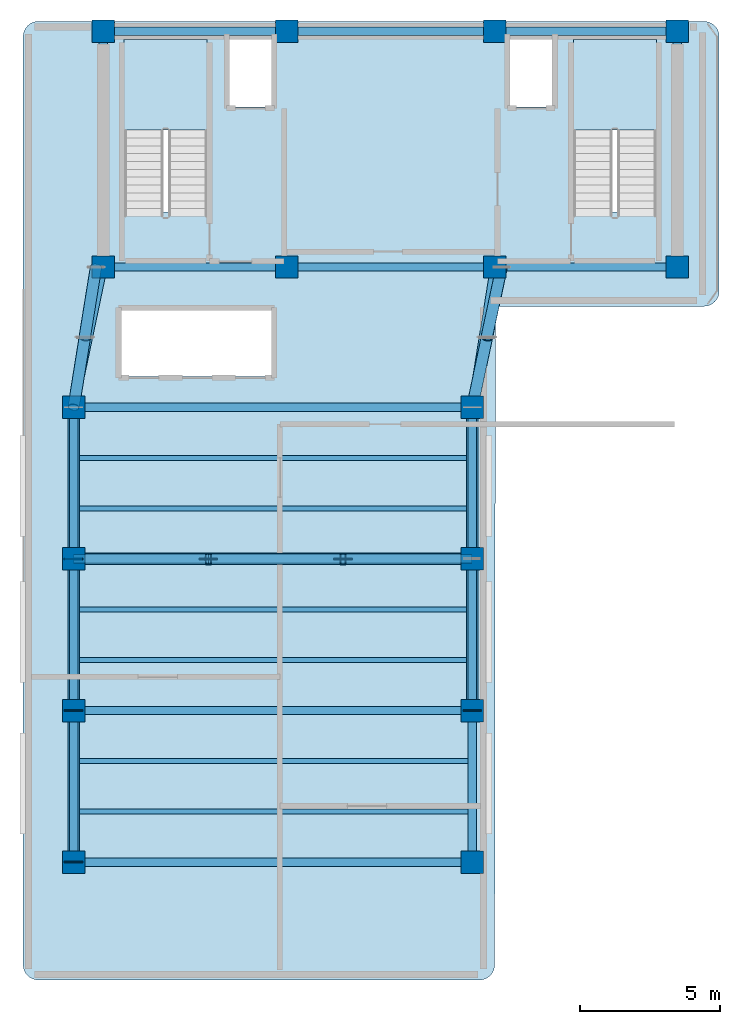
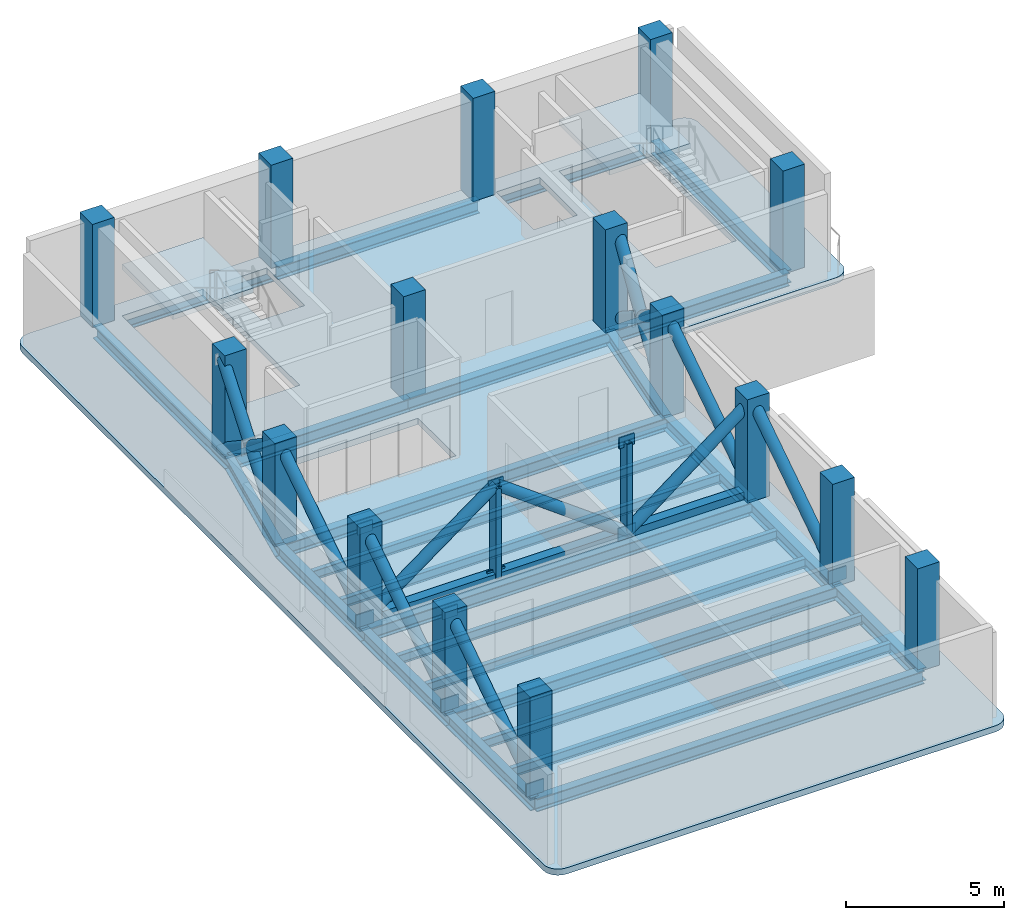
# One storey, part 1 of 5: 26 beams, 17 members, 16 columns, 10 plates, 3 slabs, 2 elements without a shape of their own.
"""IFC4 building model written with IfcOpenShell, lengths in metres."""

import ifcopenshell
import ifcopenshell.guid

model = None  # the IFC model being written
_history = None  # IfcOwnerHistory: only IFC2X3 demands one
_inside = {}  # id of a spatial element -> (the spatial element, [elements in it])
_under = {}  # id of a project, library or spatial element -> (it, [spatial elements below it])
_declared = {}  # id of a project -> (the project, [libraries it declares])
_typed = {}  # id of a type object -> (the type object, [elements of that type])
_made_of = {}  # id of a material, layer set ... -> (it, [elements and type objects made of it])


def new_model(schema):
    """Start an empty IFC model of exactly this schema.

    Asked for "IFC4X3", IfcOpenShell would pick the latest addendum, in which some entities
    have other attributes; the version numbers below select the first issue.
    IFC2X3 requires an IfcOwnerHistory on every rooted entity: one is made here for all.
    """
    global model, _history
    if schema == "IFC4X3":
        model = ifcopenshell.file(schema_version=(4, 3, 0, 0))
    else:
        model = ifcopenshell.file(schema=schema)
    _inside.clear()
    _under.clear()
    _declared.clear()
    _typed.clear()
    _made_of.clear()
    _history = None
    if model.schema == "IFC2X3":
        org = make("IfcOrganization", Name="unknown")
        user = make(
            "IfcPersonAndOrganization",
            ThePerson=make("IfcPerson", FamilyName="unknown"),
            TheOrganization=org,
        )
        app = make(
            "IfcApplication",
            ApplicationDeveloper=org,
            Version="unknown",
            ApplicationFullName="unknown",
            ApplicationIdentifier="unknown",
        )
        _history = make(
            "IfcOwnerHistory",
            OwningUser=user,
            OwningApplication=app,
            ChangeAction="ADDED",
            CreationDate=0,
        )
    return model


def make(cls, **values):
    """One entity of the class cls with the attributes given. An attribute that is None is left unset."""
    return model.create_entity(
        cls, **{name: value for name, value in values.items() if value is not None}
    )


def rooted(cls, **values):
    """An entity with a GlobalId (a new one), such as an element, a storey or a relation."""
    return make(cls, GlobalId=ifcopenshell.guid.new(), OwnerHistory=_history, **values)


def si_unit(unit_type, name, prefix=None):
    """IfcSIUnit, for example si_unit("LENGTHUNIT", "METRE", prefix="MILLI")."""
    return make("IfcSIUnit", UnitType=unit_type, Prefix=prefix, Name=name)


def assignment(units):
    """IfcUnitAssignment: the units of a project."""
    return None if units is None else make("IfcUnitAssignment", Units=units)


def point(xyz):
    """IfcCartesianPoint."""
    return None if xyz is None else make("IfcCartesianPoint", Coordinates=xyz)


def direction(xyz):
    """IfcDirection."""
    return None if xyz is None else make("IfcDirection", DirectionRatios=xyz)


def frame(location, z_axis=None, x_axis=None):
    """IfcAxis2Placement3D, a coordinate frame: its origin and axes. An axis left out is left unset."""
    return make(
        "IfcAxis2Placement3D",
        Location=point(location),
        Axis=direction(z_axis),
        RefDirection=direction(x_axis),
    )


def frame_2d(location, x_axis=None):
    """IfcAxis2Placement2D, a coordinate frame in the plane: its origin and x axis."""
    return make(
        "IfcAxis2Placement2D", Location=point(location), RefDirection=direction(x_axis)
    )


def origin():
    """The frame at (0, 0, 0) with its axes left unset."""
    return frame((0.0, 0.0, 0.0))


def origin_2d():
    """The frame at (0, 0) in the plane with its x axis left unset."""
    return frame_2d((0.0, 0.0))


def place(relative_to, where):
    """IfcLocalPlacement: puts the frame where relative to a parent placement (None: the world)."""
    return make(
        "IfcLocalPlacement", PlacementRelTo=relative_to, RelativePlacement=where
    )


def context(
    kind, dimensions, precision=None, world=None, true_north=None, identifier=None
):
    """IfcGeometricRepresentationContext, for example the 3D "Model" context."""
    return make(
        "IfcGeometricRepresentationContext",
        ContextIdentifier=identifier,
        ContextType=kind,
        CoordinateSpaceDimension=dimensions,
        Precision=precision,
        WorldCoordinateSystem=world,
        TrueNorth=true_north,
    )


def subcontext(parent, identifier, kind, view, scale=None):
    """IfcGeometricRepresentationSubContext, for example "Body" below "Model"."""
    return make(
        "IfcGeometricRepresentationSubContext",
        ContextIdentifier=identifier,
        ContextType=kind,
        ParentContext=parent,
        TargetScale=scale,
        TargetView=view,
    )


def project(units=None, contexts=None):
    """IfcProject with its units and contexts."""
    return rooted(
        "IfcProject",
        Name="project",
        RepresentationContexts=contexts,
        UnitsInContext=assignment(units),
    )


def spatial(cls, under=None, at=None, **own):
    """A site, building, storey or space (cls), placed at a placement, below another one or the project."""
    s = rooted(cls, ObjectPlacement=at, **own)
    if under is not None:
        _under.setdefault(under.id(), (under, []))[1].append(s)
    return s


def polyline(points):
    """IfcPolyline through the points."""
    return make("IfcPolyline", Points=[point(p) for p in points])


def profile(cls, at=None, kind="AREA", **sizes):
    """A parametric profile (cls). Its sizes go by their IFC names, for example OverallWidth=200.0."""
    return make(cls, ProfileType=kind, Position=at, **sizes)


def rectangle(**sizes):
    """IfcRectangleProfileDef."""
    return profile("IfcRectangleProfileDef", **sizes)


def hollow_rectangle(**sizes):
    """IfcRectangleHollowProfileDef."""
    return profile("IfcRectangleHollowProfileDef", **sizes)


def hollow_circle(**sizes):
    """IfcCircleHollowProfileDef."""
    return profile("IfcCircleHollowProfileDef", **sizes)


def i_section(**sizes):
    """IfcIShapeProfileDef."""
    return profile("IfcIShapeProfileDef", **sizes)


def outline(outer, holes=None, kind="AREA"):
    """IfcArbitraryClosedProfileDef: a profile drawn as a closed curve; with holes, ...WithVoids."""
    if holes is None:
        return make("IfcArbitraryClosedProfileDef", ProfileType=kind, OuterCurve=outer)
    return make(
        "IfcArbitraryProfileDefWithVoids",
        ProfileType=kind,
        OuterCurve=outer,
        InnerCurves=holes,
    )


def extrude(swept, where, along, depth):
    """IfcExtrudedAreaSolid: the profile swept, set in the frame where, extruded along a direction by depth."""
    return make(
        "IfcExtrudedAreaSolid",
        SweptArea=swept,
        Position=where,
        ExtrudedDirection=direction(along),
        Depth=depth,
    )


def shape(context_of_items, identifier, shape_type, items):
    """IfcShapeRepresentation: the items that make up one representation, for example the "Body"."""
    return make(
        "IfcShapeRepresentation",
        ContextOfItems=context_of_items,
        RepresentationIdentifier=identifier,
        RepresentationType=shape_type,
        Items=items,
    )


def material(Name=None, Category=None):
    """IfcMaterial."""
    return make("IfcMaterial", Name=Name, Category=Category)


def layer(
    of_material, thickness, ventilated=None, Name=None, Category=None, Priority=None
):
    """IfcMaterialLayer: one layer of a wall or slab, of a material (None: an air gap)."""
    return make(
        "IfcMaterialLayer",
        Material=of_material,
        LayerThickness=thickness,
        IsVentilated=ventilated,
        Name=Name,
        Category=Category,
        Priority=Priority,
    )


def layer_set(layers, Name=None):
    """IfcMaterialLayerSet."""
    return make("IfcMaterialLayerSet", MaterialLayers=layers, LayerSetName=Name)


def material_profile(
    of_material, cross_section, Name=None, Category=None, Priority=None
):
    """IfcMaterialProfile: a cross section and its material."""
    return make(
        "IfcMaterialProfile",
        Name=Name,
        Material=of_material,
        Profile=cross_section,
        Priority=Priority,
        Category=Category,
    )


def profile_set(profiles, Name=None, composite=None):
    """IfcMaterialProfileSet."""
    return make(
        "IfcMaterialProfileSet",
        Name=Name,
        MaterialProfiles=profiles,
        CompositeProfile=composite,
    )


def made_of(thing, what):
    """Note that an element or type object is made of a material, layer set ...; save() writes the relation."""
    if what is not None:
        _made_of.setdefault(what.id(), (what, []))[1].append(thing)
    return thing


def type_object(cls, material=None, **own):
    """A type object (cls), such as IfcWallType, which elements share."""
    return made_of(rooted(cls, **own), material)


def element(
    cls,
    number,
    at=None,
    inside=None,
    cuts=None,
    type_object=None,
    material=None,
    context=None,
    identifier="Body",
    shape_type=None,
    held_by="IfcProductDefinitionShape",
    body=None,
    shapes=None,
    **own,
):
    """One element of the class cls, such as IfcWall. Its Tag is "e" and its number.

    at: its placement. inside: the storey or other place that contains it. cuts: it is an
    opening in that element (IfcRelVoidsElement). A single representation is given by context,
    identifier, shape_type and body (its items); several are given by shapes. held_by: the class
    of the entity that holds the representations. save() writes the other relations.
    """
    e = rooted(cls, Tag="e%d" % number, ObjectPlacement=at, **own)
    if body is not None:
        shapes = [shape(context, identifier, shape_type, body)]
    if shapes is not None:
        e.Representation = make(held_by, Representations=shapes)
    if inside is not None:
        _inside.setdefault(inside.id(), (inside, []))[1].append(e)
    if cuts is not None:
        rooted(
            "IfcRelVoidsElement", RelatingBuildingElement=cuts, RelatedOpeningElement=e
        )
    if type_object is not None:
        _typed.setdefault(type_object.id(), (type_object, []))[1].append(e)
    return made_of(e, material)


def aggregate(whole, parts):
    """IfcRelAggregates: a whole, such as a stair, and the parts it consists of."""
    return rooted("IfcRelAggregates", RelatingObject=whole, RelatedObjects=parts)


def save(model, path):
    """Write the relations noted so far, then the file.

    IfcRelAggregates (storeys below a building ...), IfcRelContainedInSpatialStructure (elements
    in a storey), IfcRelDefinesByType, IfcRelAssociatesMaterial and IfcRelDeclares: one each for
    every whole, place, type object, material and project.
    """
    for whole, parts in _under.values():
        aggregate(whole, parts)
    for where, things in _inside.values():
        rooted(
            "IfcRelContainedInSpatialStructure",
            RelatedElements=things,
            RelatingStructure=where,
        )
    for kind, things in _typed.values():
        rooted("IfcRelDefinesByType", RelatedObjects=things, RelatingType=kind)
    for what, things in _made_of.values():
        rooted("IfcRelAssociatesMaterial", RelatedObjects=things, RelatingMaterial=what)
    for by, libraries in _declared.values():
        rooted("IfcRelDeclares", RelatingContext=by, RelatedDefinitions=libraries)
    model.write(path)


model = new_model("IFC4")

# Units and contexts
model_context = context("Model", 3, precision=1e-05, world=origin(), true_north=direction((0.0, 1.0)))
body_context = subcontext(model_context, "Body", "Model", "MODEL_VIEW")
ifc_project = project(units=[si_unit("LENGTHUNIT", "METRE"), si_unit("AREAUNIT", "SQUARE_METRE"), si_unit("VOLUMEUNIT", "CUBIC_METRE"), si_unit("PLANEANGLEUNIT", "RADIAN"), si_unit("MASSUNIT", "GRAM", prefix="KILO")], contexts=[model_context])

# Site, building, storey
site_placement = place(None, origin())
site = spatial("IfcSite", under=ifc_project, at=site_placement, CompositionType="ELEMENT")
building_placement = place(site_placement, origin())
building = spatial("IfcBuilding", under=site, at=building_placement, Name="Kuzgunbayir Cultural Tower", CompositionType="ELEMENT")
storey_placement = place(building_placement, frame((0.0, 0.0, 214.39990234375)))
storey = spatial("IfcBuildingStorey", under=building, at=storey_placement, Name="L63", CompositionType="ELEMENT", Elevation=214.39990234375)

# Columns
ifc_material_1 = material(Name="Concrete C50/60", Category="concrete")
ifc_material_profile_1 = material_profile(ifc_material_1, rectangle(XDim=0.800048828125, YDim=0.800048828125, at=origin_2d()), Name="RC 800x800")
ifc_profile_set_1 = profile_set([ifc_material_profile_1], Name="Concrete C50/60")
column_type_1 = type_object("IfcColumnType", Name="COL-CORE-800", PredefinedType="COLUMN", material=ifc_profile_set_1)
for number, where, z_axis, x_axis, name in (
    (1, (6.449951171875, 33.800048828125, 0.0), (0.0, 0.0, 1.0), (1.0, 0.0, 0.0), "L63 T1 Core Boundary Column CC1-1"),
    (2, (13.0, 33.800048828125, 0.0), (0.0, 0.0, 1.0), (1.0, 0.0, 0.0), "L63 T1 Core Boundary Column CC1-2"),
    (3, (20.39990234375, 33.800048828125, 0.0), (0.0, 0.0, 1.0), (1.0, 0.0, 0.0), "L63 T1 Core Boundary Column CC1-3"),
    (4, (26.89990234375, 33.800048828125, 0.0), (0.0, 0.0, 1.0), (1.0, 0.0, 0.0), "L63 T1 Core Boundary Column CC1-4"),
    (5, (6.449951171875, 42.199951171875, 0.0), (0.0, 0.0, 1.0), (1.0, 0.0, 0.0), "L63 T1 Core Boundary Column CC1-5"),
    (6, (13.0, 42.199951171875, 0.0), (0.0, 0.0, 1.0), (1.0, 0.0, 0.0), "L63 T1 Core Boundary Column CC1-6"),
    (7, (20.39990234375, 42.199951171875, 0.0), (0.0, 0.0, 1.0), (1.0, 0.0, 0.0), "L63 T1 Core Boundary Column CC1-7"),
    (8, (26.89990234375, 42.199951171875, 0.0), (0.0, 0.0, 1.0), (1.0, 0.0, 0.0), "L63 T1 Core Boundary Column CC1-8"),
):
    element("IfcColumn", number, at=place(storey_placement, frame(where, z_axis=z_axis, x_axis=x_axis)), inside=storey, type_object=column_type_1, Name=name, PredefinedType="COLUMN", context=body_context, shape_type="SweptSolid", body=[
        extrude(rectangle(XDim=0.800048828125, YDim=0.800048828125, at=origin_2d()), origin(), (0.0, 0.0, 1.0), 4.0),
    ])
ifc_material_profile_2 = material_profile(ifc_material_1, rectangle(XDim=0.800048828125, YDim=0.800048828125, at=origin_2d()), Name="RC 800x800")
ifc_profile_set_2 = profile_set([ifc_material_profile_2], Name="Concrete C50/60")
column_type_2 = type_object("IfcColumnType", Name="COL-T1-800", PredefinedType="COLUMN", material=ifc_profile_set_2)
for number, where, z_axis, x_axis, name in (
    (9, (5.39990234375, 12.60009765625, 0.0), (0.0, 0.0, 1.0), (1.0, 0.0, 0.0), "L63 Tower 1 Wing A Column T1A-W-1"),
    (10, (19.60009765625, 12.60009765625, 0.0), (0.0, 0.0, 1.0), (1.0, 0.0, 0.0), "L63 Tower 1 Wing A Column T1A-E-1"),
    (11, (5.39990234375, 18.0, 0.0), (0.0, 0.0, 1.0), (1.0, 0.0, 0.0), "L63 Tower 1 Wing A Column T1A-W-2"),
    (12, (19.60009765625, 18.0, 0.0), (0.0, 0.0, 1.0), (1.0, 0.0, 0.0), "L63 Tower 1 Wing A Column T1A-E-2"),
    (13, (5.39990234375, 23.39990234375, 0.0), (0.0, 0.0, 1.0), (1.0, 0.0, 0.0), "L63 Tower 1 Wing A Column T1A-W-3"),
    (14, (19.60009765625, 23.39990234375, 0.0), (0.0, 0.0, 1.0), (1.0, 0.0, 0.0), "L63 Tower 1 Wing A Column T1A-E-3"),
    (15, (5.39990234375, 28.800048828125, 0.0), (0.0, 0.0, 1.0), (1.0, 0.0, 0.0), "L63 Tower 1 Wing A Column T1A-W-4"),
    (16, (19.60009765625, 28.800048828125, 0.0), (0.0, 0.0, 1.0), (1.0, 0.0, 0.0), "L63 Tower 1 Wing A Column T1A-E-4"),
):
    element("IfcColumn", number, at=place(storey_placement, frame(where, z_axis=z_axis, x_axis=x_axis)), inside=storey, type_object=column_type_2, Name=name, PredefinedType="COLUMN", context=body_context, shape_type="SweptSolid", body=[
        extrude(rectangle(XDim=0.800048828125, YDim=0.800048828125, at=origin_2d()), origin(), (0.0, 0.0, 1.0), 4.0),
    ])

# Beams
ifc_material_2 = material(Name="Steel S355J2", Category="steel")
ifc_material_profile_3 = material_profile(ifc_material_2, i_section(OverallWidth=0.300048828125, OverallDepth=0.5, WebThickness=0.014404296875, FlangeThickness=0.028076171875, FilletRadius=0.027099609375, at=origin_2d()), Name="HEB 500")
ifc_profile_set_3 = profile_set([ifc_material_profile_3], Name="Steel S355J2")
beam_type_1 = type_object("IfcBeamType", Name="BM-EXT-HEB500", PredefinedType="BEAM", material=ifc_profile_set_3)
for number, where, z_axis, x_axis, name in (
    (17, (5.39990234375, 12.60009765625, -0.489990234375), (0.0, 1.0, 0.0), (-1.0, 0.0, 0.0), "L63 Wing A West Girder 1"),
    (18, (19.60009765625, 12.60009765625, -0.489990234375), (0.0, 1.0, 0.0), (-1.0, 0.0, 0.0), "L63 Wing A East Girder 1"),
    (19, (5.39990234375, 18.0, -0.489990234375), (0.0, 1.0, 0.0), (-1.0, 0.0, 0.0), "L63 Wing A West Girder 2"),
    (20, (19.60009765625, 18.0, -0.489990234375), (0.0, 1.0, 0.0), (-1.0, 0.0, 0.0), "L63 Wing A East Girder 2"),
):
    element("IfcBeam", number, at=place(storey_placement, frame(where, z_axis=z_axis, x_axis=x_axis)), inside=storey, type_object=beam_type_1, Name=name, PredefinedType="BEAM", context=body_context, shape_type="SweptSolid", body=[
        extrude(i_section(OverallWidth=0.300048828125, OverallDepth=0.5, WebThickness=0.014404296875, FlangeThickness=0.028076171875, FilletRadius=0.027099609375, at=origin_2d()), origin(), (0.0, 0.0, 1.0), 5.39990234375),
    ])
for number, where, z_axis, x_axis, name in (
    (21, (5.39990234375, 23.39990234375, -0.489990234375), (0.0, 1.0, 0.0), (-1.0, 0.0, 0.0), "L63 Wing A West Girder 3"),
    (22, (19.60009765625, 23.39990234375, -0.489990234375), (0.0, 1.0, 0.0), (-1.0, 0.0, 0.0), "L63 Wing A East Girder 3"),
):
    element("IfcBeam", number, at=place(storey_placement, frame(where, z_axis=z_axis, x_axis=x_axis)), inside=storey, type_object=beam_type_1, Name=name, PredefinedType="BEAM", context=body_context, shape_type="SweptSolid", body=[
        extrude(i_section(OverallWidth=0.300048828125, OverallDepth=0.5, WebThickness=0.014404296875, FlangeThickness=0.028076171875, FilletRadius=0.027099609375, at=origin_2d()), origin(), (0.0, 0.0, 1.0), 5.400146484375),
    ])
ifc_material_profile_4 = material_profile(ifc_material_2, i_section(OverallWidth=0.300048828125, OverallDepth=0.5, WebThickness=0.014404296875, FlangeThickness=0.028076171875, FilletRadius=0.027099609375, at=origin_2d()), Name="HEB 500")
ifc_profile_set_4 = profile_set([ifc_material_profile_4], Name="Steel S355J2")
beam_type_2 = type_object("IfcBeamType", Name="BM-GIR-HEB500", PredefinedType="BEAM", material=ifc_profile_set_4)
beam_1_placement = place(storey_placement, frame((6.449951171875, 33.800048828125, -0.489990234375), z_axis=(1.0, 0.0, 0.0), x_axis=(0.0, 1.0, 0.0)))
element("IfcBeam", 23, at=beam_1_placement, inside=storey, type_object=beam_type_2, Name="L63 Core South Girder 1", PredefinedType="BEAM", context=body_context, shape_type="SweptSolid", body=[
    extrude(i_section(OverallWidth=0.300048828125, OverallDepth=0.5, WebThickness=0.014404296875, FlangeThickness=0.028076171875, FilletRadius=0.027099609375, at=origin_2d()), origin(), (0.0, 0.0, 1.0), 6.550048828125),
])
beam_2_placement = place(storey_placement, frame((13.0, 33.800048828125, -0.489990234375), z_axis=(1.0, 0.0, 0.0), x_axis=(0.0, 1.0, 0.0)))
element("IfcBeam", 24, at=beam_2_placement, inside=storey, type_object=beam_type_2, Name="L63 Core South Girder 2", PredefinedType="BEAM", context=body_context, shape_type="SweptSolid", body=[
    extrude(i_section(OverallWidth=0.300048828125, OverallDepth=0.5, WebThickness=0.014404296875, FlangeThickness=0.028076171875, FilletRadius=0.027099609375, at=origin_2d()), origin(), (0.0, 0.0, 1.0), 7.39990234375),
])
beam_3_placement = place(storey_placement, frame((20.39990234375, 33.800048828125, -0.489990234375), z_axis=(1.0, 0.0, 0.0), x_axis=(0.0, 1.0, 0.0)))
element("IfcBeam", 25, at=beam_3_placement, inside=storey, type_object=beam_type_2, Name="L63 Core South Girder 3", PredefinedType="BEAM", context=body_context, shape_type="SweptSolid", body=[
    extrude(i_section(OverallWidth=0.300048828125, OverallDepth=0.5, WebThickness=0.014404296875, FlangeThickness=0.028076171875, FilletRadius=0.027099609375, at=origin_2d()), origin(), (0.0, 0.0, 1.0), 6.5),
])
beam_4_placement = place(storey_placement, frame((6.449951171875, 42.199951171875, -0.489990234375), z_axis=(1.0, 0.0, 0.0), x_axis=(0.0, 1.0, 0.0)))
element("IfcBeam", 26, at=beam_4_placement, inside=storey, type_object=beam_type_2, Name="L63 Core North Girder 1", PredefinedType="BEAM", context=body_context, shape_type="SweptSolid", body=[
    extrude(i_section(OverallWidth=0.300048828125, OverallDepth=0.5, WebThickness=0.014404296875, FlangeThickness=0.028076171875, FilletRadius=0.027099609375, at=origin_2d()), origin(), (0.0, 0.0, 1.0), 6.550048828125),
])
beam_5_placement = place(storey_placement, frame((13.0, 42.199951171875, -0.489990234375), z_axis=(1.0, 0.0, 0.0), x_axis=(0.0, 1.0, 0.0)))
element("IfcBeam", 27, at=beam_5_placement, inside=storey, type_object=beam_type_2, Name="L63 Core North Girder 2", PredefinedType="BEAM", context=body_context, shape_type="SweptSolid", body=[
    extrude(i_section(OverallWidth=0.300048828125, OverallDepth=0.5, WebThickness=0.014404296875, FlangeThickness=0.028076171875, FilletRadius=0.027099609375, at=origin_2d()), origin(), (0.0, 0.0, 1.0), 7.39990234375),
])
beam_6_placement = place(storey_placement, frame((20.39990234375, 42.199951171875, -0.489990234375), z_axis=(1.0, 0.0, 0.0), x_axis=(0.0, 1.0, 0.0)))
element("IfcBeam", 28, at=beam_6_placement, inside=storey, type_object=beam_type_2, Name="L63 Core North Girder 3", PredefinedType="BEAM", context=body_context, shape_type="SweptSolid", body=[
    extrude(i_section(OverallWidth=0.300048828125, OverallDepth=0.5, WebThickness=0.014404296875, FlangeThickness=0.028076171875, FilletRadius=0.027099609375, at=origin_2d()), origin(), (0.0, 0.0, 1.0), 6.5),
])
for number, where, z_axis, x_axis, name in (
    (29, (6.449951171875, 33.800048828125, -0.489990234375), (0.0, 1.0, 0.0), (-1.0, 0.0, 0.0), "L63 Core West Edge Girder"),
    (30, (26.89990234375, 33.800048828125, -0.489990234375), (0.0, 1.0, 0.0), (-1.0, 0.0, 0.0), "L63 Core East Edge Girder"),
):
    element("IfcBeam", number, at=place(storey_placement, frame(where, z_axis=z_axis, x_axis=x_axis)), inside=storey, type_object=beam_type_2, Name=name, PredefinedType="BEAM", context=body_context, shape_type="SweptSolid", body=[
        extrude(i_section(OverallWidth=0.300048828125, OverallDepth=0.5, WebThickness=0.014404296875, FlangeThickness=0.028076171875, FilletRadius=0.027099609375, at=origin_2d()), origin(), (0.0, 0.0, 1.0), 8.39990234375),
    ])
for number, where, z_axis, x_axis, name in (
    (31, (5.39990234375, 12.60009765625, -0.489990234375), (1.0, 0.0, 0.0), (0.0, 1.0, 0.0), "L63 Wing A Transverse Girder 1"),
    (32, (5.39990234375, 18.0, -0.489990234375), (1.0, 0.0, 0.0), (0.0, 1.0, 0.0), "L63 Wing A Transverse Girder 2"),
    (33, (5.39990234375, 23.39990234375, -0.489990234375), (1.0, 0.0, 0.0), (0.0, 1.0, 0.0), "L63 Wing A Transverse Girder 3"),
    (34, (5.39990234375, 28.800048828125, -0.489990234375), (1.0, 0.0, 0.0), (0.0, 1.0, 0.0), "L63 Wing A Transverse Girder 4"),
):
    element("IfcBeam", number, at=place(storey_placement, frame(where, z_axis=z_axis, x_axis=x_axis)), inside=storey, type_object=beam_type_2, Name=name, PredefinedType="BEAM", context=body_context, shape_type="SweptSolid", body=[
        extrude(i_section(OverallWidth=0.300048828125, OverallDepth=0.5, WebThickness=0.014404296875, FlangeThickness=0.028076171875, FilletRadius=0.027099609375, at=origin_2d()), origin(), (0.0, 0.0, 1.0), 14.2001953125),
    ])
beam_7_placement = place(storey_placement, frame((5.39990234375, 28.800048828125, -0.489990234375), z_axis=(0.205526387753, 0.978651574329, 0.0), x_axis=(-0.978651574329, 0.205526387753, 0.0)))
element("IfcBeam", 35, at=beam_7_placement, inside=storey, type_object=beam_type_2, Name="L63 Wing A West Core Floor Girder", PredefinedType="BEAM", context=body_context, shape_type="SweptSolid", body=[
    extrude(i_section(OverallWidth=0.300048828125, OverallDepth=0.5, WebThickness=0.014404296875, FlangeThickness=0.028076171875, FilletRadius=0.027099609375, at=origin_2d()), origin(), (0.0, 0.0, 1.0), 5.109130859375),
])
beam_8_placement = place(storey_placement, frame((19.60009765625, 28.800048828125, -0.489990234375), z_axis=(0.157952891656, 0.987446648694, 0.0), x_axis=(-0.987446648694, 0.157952891656, 0.0)))
element("IfcBeam", 36, at=beam_8_placement, inside=storey, type_object=beam_type_2, Name="L63 Wing A East Core Floor Girder", PredefinedType="BEAM", context=body_context, shape_type="SweptSolid", body=[
    extrude(i_section(OverallWidth=0.300048828125, OverallDepth=0.5, WebThickness=0.014404296875, FlangeThickness=0.028076171875, FilletRadius=0.027099609375, at=origin_2d()), origin(), (0.0, 0.0, 1.0), 5.0634765625),
])
ifc_material_profile_5 = material_profile(ifc_material_2, i_section(OverallWidth=0.169921875, OverallDepth=0.360107421875, WebThickness=0.008056640625, FlangeThickness=0.0126953125, FilletRadius=0.01806640625, at=origin_2d()), Name="IPE 360")
ifc_profile_set_5 = profile_set([ifc_material_profile_5], Name="Steel S355J2")
beam_type_3 = type_object("IfcBeamType", Name="BM-JST-IPE360", PredefinedType="JOIST", material=ifc_profile_set_5)
for number, where, z_axis, x_axis, name in (
    (37, (5.550048828125, 14.39990234375, -0.419921875), (1.0, 0.0, 0.0), (0.0, 1.0, 0.0), "L63 Wing A Secondary Joist 1"),
    (38, (5.550048828125, 16.199951171875, -0.419921875), (1.0, 0.0, 0.0), (0.0, 1.0, 0.0), "L63 Wing A Secondary Joist 2"),
    (39, (5.550048828125, 19.800048828125, -0.419921875), (1.0, 0.0, 0.0), (0.0, 1.0, 0.0), "L63 Wing A Secondary Joist 3"),
    (40, (5.550048828125, 21.60009765625, -0.419921875), (1.0, 0.0, 0.0), (0.0, 1.0, 0.0), "L63 Wing A Secondary Joist 4"),
    (41, (5.550048828125, 25.199951171875, -0.419921875), (1.0, 0.0, 0.0), (0.0, 1.0, 0.0), "L63 Wing A Secondary Joist 5"),
    (42, (5.550048828125, 27.0, -0.419921875), (1.0, 0.0, 0.0), (0.0, 1.0, 0.0), "L63 Wing A Secondary Joist 6"),
):
    element("IfcBeam", number, at=place(storey_placement, frame(where, z_axis=z_axis, x_axis=x_axis)), inside=storey, type_object=beam_type_3, Name=name, PredefinedType="JOIST", context=body_context, shape_type="SweptSolid", body=[
        extrude(i_section(OverallWidth=0.169921875, OverallDepth=0.360107421875, WebThickness=0.008056640625, FlangeThickness=0.0126953125, FilletRadius=0.01806640625, at=origin_2d()), origin(), (0.0, 0.0, 1.0), 13.89990234375),
    ])

# Members
ifc_material_3 = material(Name="Steel S460M", Category="steel")
ifc_material_profile_6 = material_profile(ifc_material_3, hollow_circle(Radius=0.203125, WallThickness=0.02001953125, at=origin_2d()), Name="CHS 406.4x20")
ifc_profile_set_6 = profile_set([ifc_material_profile_6], Name="Steel S460M")
member_type_1 = type_object("IfcMemberType", Name="MEM-BLT-CHS406", PredefinedType="BRACE", material=ifc_profile_set_6)
member_1_placement = place(storey_placement, frame((6.199951171875, 33.800048828125, 0.1201171875), z_axis=(-0.129612608815, -0.810029364826, 0.571885477833), x_axis=(0.98743912751, -0.157999903362, 0.0)))
element("IfcMember", 43, at=member_1_placement, inside=storey, type_object=member_type_1, Name="L63 West Outrigger X-Brace Continuous Primary Diagonal", PredefinedType="BRACE", context=body_context, shape_type="SweptSolid", body=[
    extrude(hollow_circle(Radius=0.203125, WallThickness=0.02001953125, at=origin_2d()), origin(), (0.0, 0.0, 1.0), 6.172607421875),
])
member_2_placement = place(storey_placement, frame((5.39990234375, 28.800048828125, 0.1201171875), z_axis=(0.130457511038, 0.80853410441, 0.573806099497), x_axis=(-0.987231755088, 0.15929049484, 0.0)))
element("IfcMember", 44, at=member_2_placement, inside=storey, type_object=member_type_1, Name="L63 West Outrigger X-Brace Split Lower Secondary Diagonal", PredefinedType="BRACE", context=body_context, shape_type="SweptSolid", body=[
    extrude(hollow_circle(Radius=0.203125, WallThickness=0.02001953125, at=origin_2d()), origin(), (0.0, 0.0, 1.0), 3.067138671875),
])
member_3_placement = place(storey_placement, frame((5.800048828125, 31.320068359375, 1.900146484375), z_axis=(0.130623408417, 0.810056521794, 0.571616966747), x_axis=(-0.987247034177, 0.159195771016, 0.0)))
element("IfcMember", 45, at=member_3_placement, inside=storey, type_object=member_type_1, Name="L63 West Outrigger X-Brace Split Upper Secondary Diagonal", PredefinedType="BRACE", context=body_context, shape_type="SweptSolid", body=[
    extrude(hollow_circle(Radius=0.203125, WallThickness=0.02001953125, at=origin_2d()), origin(), (0.0, 0.0, 1.0), 3.0615234375),
])
member_4_placement = place(storey_placement, frame((20.64990234375, 33.800048828125, 0.1201171875), z_axis=(-0.169052654175, -0.805162408722, 0.568449378306), x_axis=(0.978661184912, -0.205480619879, 0.0)))
element("IfcMember", 46, at=member_4_placement, inside=storey, type_object=member_type_1, Name="L63 East Outrigger X-Brace Continuous Primary Diagonal", PredefinedType="BRACE", context=body_context, shape_type="SweptSolid", body=[
    extrude(hollow_circle(Radius=0.203125, WallThickness=0.02001953125, at=origin_2d()), origin(), (0.0, 0.0, 1.0), 6.2099609375),
])
member_5_placement = place(storey_placement, frame((19.60009765625, 28.800048828125, 0.1201171875), z_axis=(0.168553836515, 0.803835620339, 0.570471646684), x_axis=(-0.978715076962, 0.205223775736, 0.0)))
element("IfcMember", 47, at=member_5_placement, inside=storey, type_object=member_type_1, Name="L63 East Outrigger X-Brace Split Lower Secondary Diagonal", PredefinedType="BRACE", context=body_context, shape_type="SweptSolid", body=[
    extrude(hollow_circle(Radius=0.203125, WallThickness=0.02001953125, at=origin_2d()), origin(), (0.0, 0.0, 1.0), 3.085205078125),
])
member_6_placement = place(storey_placement, frame((20.1201171875, 31.320068359375, 1.900146484375), z_axis=(0.171944057276, 0.804888356595, 0.567970047261), x_axis=(-0.977934651967, 0.208911025277, 0.0)))
element("IfcMember", 48, at=member_6_placement, inside=storey, type_object=member_type_1, Name="L63 East Outrigger X-Brace Split Upper Secondary Diagonal", PredefinedType="BRACE", context=body_context, shape_type="SweptSolid", body=[
    extrude(hollow_circle(Radius=0.203125, WallThickness=0.02001953125, at=origin_2d()), origin(), (0.0, 0.0, 1.0), 3.0810546875),
])
member_7_placement = place(storey_placement, frame((5.39990234375, 18.0, 0.1201171875), z_axis=(0.0, 0.837017610932, 0.547175948841), x_axis=(-1.0, 0.0, 0.0)))
element("IfcMember", 49, at=member_7_placement, inside=storey, type_object=member_type_1, Name="L63 Outrigger and Belt Truss Diagonal 1", PredefinedType="BRACE", context=body_context, shape_type="SweptSolid", body=[
    extrude(hollow_circle(Radius=0.203125, WallThickness=0.02001953125, at=origin_2d()), origin(), (0.0, 0.0, 1.0), 6.451416015625),
])
member_8_placement = place(storey_placement, frame((5.39990234375, 23.39990234375, 0.1201171875), z_axis=(0.0, 0.837028940728, 0.547158617206), x_axis=(-1.0, 0.0, 0.0)))
element("IfcMember", 50, at=member_8_placement, inside=storey, type_object=member_type_1, Name="L63 Outrigger and Belt Truss Diagonal 2", PredefinedType="BRACE", context=body_context, shape_type="SweptSolid", body=[
    extrude(hollow_circle(Radius=0.203125, WallThickness=0.02001953125, at=origin_2d()), origin(), (0.0, 0.0, 1.0), 6.45166015625),
])
member_9_placement = place(storey_placement, frame((19.60009765625, 18.0, 0.1201171875), z_axis=(0.0, 0.837017610932, 0.547175948841), x_axis=(-1.0, 0.0, 0.0)))
element("IfcMember", 51, at=member_9_placement, inside=storey, type_object=member_type_1, Name="L63 Outrigger and Belt Truss Diagonal 3", PredefinedType="BRACE", context=body_context, shape_type="SweptSolid", body=[
    extrude(hollow_circle(Radius=0.203125, WallThickness=0.02001953125, at=origin_2d()), origin(), (0.0, 0.0, 1.0), 6.451416015625),
])
member_10_placement = place(storey_placement, frame((19.60009765625, 23.39990234375, 0.1201171875), z_axis=(0.0, 0.837028940728, 0.547158617206), x_axis=(-1.0, 0.0, 0.0)))
element("IfcMember", 52, at=member_10_placement, inside=storey, type_object=member_type_1, Name="L63 Outrigger and Belt Truss Diagonal 4", PredefinedType="BRACE", context=body_context, shape_type="SweptSolid", body=[
    extrude(hollow_circle(Radius=0.203125, WallThickness=0.02001953125, at=origin_2d()), origin(), (0.0, 0.0, 1.0), 6.45166015625),
])
for number, where, z_axis, x_axis, name in (
    (53, (5.39990234375, 23.39990234375, 0.1201171875), (0.805604421806, 0.0, 0.592453808804), (0.0, 1.0, 0.0), "L63 Outrigger and Belt Truss Diagonal 5"),
    (54, (10.199951171875, 23.39990234375, 3.650146484375), (0.805604421806, 0.0, -0.592453808804), (0.0, 1.0, 0.0), "L63 Outrigger and Belt Truss Diagonal 6"),
):
    element("IfcMember", number, at=place(storey_placement, frame(where, z_axis=z_axis, x_axis=x_axis)), inside=storey, type_object=member_type_1, Name=name, PredefinedType="BRACE", context=body_context, shape_type="SweptSolid", body=[
        extrude(hollow_circle(Radius=0.203125, WallThickness=0.02001953125, at=origin_2d()), origin(), (0.0, 0.0, 1.0), 5.958251953125),
    ])
member_11_placement = place(storey_placement, frame((15.0, 23.39990234375, 0.1201171875), z_axis=(0.79333249874, 0.0, 0.608788589284), x_axis=(0.0, 1.0, 0.0)))
element("IfcMember", 55, at=member_11_placement, inside=storey, type_object=member_type_1, Name="L63 Outrigger and Belt Truss Diagonal 7", PredefinedType="BRACE", context=body_context, shape_type="SweptSolid", body=[
    extrude(hollow_circle(Radius=0.203125, WallThickness=0.02001953125, at=origin_2d()), origin(), (0.0, 0.0, 1.0), 5.79833984375),
])
member_12_placement = place(storey_placement, frame((5.39990234375, 12.60009765625, 0.1201171875), z_axis=(0.0, 0.837017610932, 0.547175948841), x_axis=(-1.0, 0.0, 0.0)))
element("IfcMember", 56, at=member_12_placement, inside=storey, type_object=member_type_1, Name="L63 Outrigger and Belt Truss Diagonal 8", PredefinedType="BRACE", context=body_context, shape_type="SweptSolid", body=[
    extrude(hollow_circle(Radius=0.203125, WallThickness=0.02001953125, at=origin_2d()), origin(), (0.0, 0.0, 1.0), 6.451416015625),
])
ifc_material_profile_7 = material_profile(ifc_material_3, hollow_rectangle(XDim=0.35009765625, YDim=0.35009765625, WallThickness=0.02001953125, at=origin_2d()), Name="SHS 350x350x20")
ifc_profile_set_7 = profile_set([ifc_material_profile_7], Name="Steel S460M")
member_type_2 = type_object("IfcMemberType", Name="MEM-CHD-SHS350", PredefinedType="CHORD", material=ifc_profile_set_7)
member_13_placement = place(storey_placement, frame((5.39990234375, 23.39990234375, 0.1201171875), z_axis=(1.0, 0.0, 0.0), x_axis=(0.0, 1.0, 0.0)))
element("IfcMember", 57, at=member_13_placement, inside=storey, type_object=member_type_2, Name="L63 Outrigger Bottom Chord", PredefinedType="CHORD", context=body_context, shape_type="SweptSolid", body=[
    extrude(hollow_rectangle(XDim=0.35009765625, YDim=0.35009765625, WallThickness=0.02001953125, at=origin_2d()), origin(), (0.0, 0.0, 1.0), 14.2001953125),
])
ifc_material_profile_8 = material_profile(ifc_material_3, hollow_rectangle(XDim=0.199951171875, YDim=0.39990234375, WallThickness=0.01611328125, at=origin_2d()), Name="RHS 400x200x16")
ifc_profile_set_8 = profile_set([ifc_material_profile_8], Name="Steel S460M")
member_type_3 = type_object("IfcMemberType", Name="MEM-STR-RHS400", PredefinedType="STRUT", material=ifc_profile_set_8)
for number, where, z_axis, x_axis, name in (
    (58, (10.199951171875, 23.39990234375, 0.1201171875), (0.0, 0.0, 1.0), (1.0, 0.0, 0.0), "L63 Outrigger Vertical Strut 10"),
    (59, (15.0, 23.39990234375, 0.1201171875), (0.0, 0.0, 1.0), (1.0, 0.0, 0.0), "L63 Outrigger Vertical Strut 15"),
):
    element("IfcMember", number, at=place(storey_placement, frame(where, z_axis=z_axis, x_axis=x_axis)), inside=storey, type_object=member_type_3, Name=name, PredefinedType="STRUT", context=body_context, shape_type="SweptSolid", body=[
        extrude(hollow_rectangle(XDim=0.199951171875, YDim=0.39990234375, WallThickness=0.01611328125, at=origin_2d()), origin(), (0.0, 0.0, 1.0), 3.530029296875),
    ])

# Plates
ifc_layer_1 = layer(ifc_material_3, 0.034912109375)
ifc_layer_set_1 = layer_set([ifc_layer_1], Name="Steel S460M")
plate_type_1 = type_object("IfcPlateType", Name="PLT-CAP-END-35", PredefinedType="USERDEFINED", material=ifc_layer_set_1)
plate_placement = place(storey_placement, frame((5.39990234375, 23.39990234375, 3.440185546875), z_axis=(0.0, 0.0, 1.0), x_axis=(1.0, 0.0, 0.0)))
element("IfcPlate", 60, at=plate_placement, inside=storey, type_object=plate_type_1, Name="L63 Hollow End Cap Plate ONT-L63-1 End", ObjectType="END_CAP_PLATE", PredefinedType="USERDEFINED", context=body_context, shape_type="SweptSolid", body=[
    extrude(rectangle(XDim=0.550048828125, YDim=0.034912109375, at=origin_2d()), origin(), (0.0, 0.0, 1.0), 0.419921875),
])
ifc_layer_2 = layer(ifc_material_3, 0.0400390625)
ifc_layer_set_2 = layer_set([ifc_layer_2], Name="Steel S460M")
plate_type_2 = type_object("IfcPlateType", Name="PLT-CAP-END-40", PredefinedType="USERDEFINED", material=ifc_layer_set_2)
for number, where, z_axis, x_axis, name in (
    (61, (10.199951171875, 23.39990234375, 3.440185546875), (0.0, 0.0, 1.0), (1.0, 0.0, 0.0), "L63 Hollow End Cap Plate STR-L63-10 End"),
    (62, (15.0, 23.39990234375, 3.440185546875), (0.0, 0.0, 1.0), (1.0, 0.0, 0.0), "L63 Hollow End Cap Plate STR-L63-15 End"),
    (63, (5.39990234375, 18.0, 3.440185546875), (0.0, 0.0, 1.0), (1.0, 0.0, 0.0), "L63 Hollow End Cap Plate ONT-L63-8 End"),
):
    element("IfcPlate", number, at=place(storey_placement, frame(where, z_axis=z_axis, x_axis=x_axis)), inside=storey, type_object=plate_type_2, Name=name, ObjectType="END_CAP_PLATE", PredefinedType="USERDEFINED", context=body_context, shape_type="SweptSolid", body=[
        extrude(rectangle(XDim=0.550048828125, YDim=0.0400390625, at=origin_2d()), origin(), (0.0, 0.0, 1.0), 0.419921875),
    ])
ifc_layer_3 = layer(ifc_material_3, 0.044921875)
ifc_layer_set_3 = layer_set([ifc_layer_3], Name="Steel S460M")
plate_type_3 = type_object("IfcPlateType", Name="PLT-NODE-GUSSET-45", PredefinedType="USERDEFINED", material=ifc_layer_set_3)
for number, where, z_axis, x_axis, name in (
    (64, (5.39990234375, 18.0, -0.1298828125), (0.0, 0.0, 1.0), (1.0, 0.0, 0.0), "L63 Truss Gusset Plate ONT-L63-1 Start"),
    (65, (19.60009765625, 18.0, -0.1298828125), (0.0, 0.0, 1.0), (1.0, 0.0, 0.0), "L63 Truss Gusset Plate ONT-L63-3 Start"),
):
    element("IfcPlate", number, at=place(storey_placement, frame(where, z_axis=z_axis, x_axis=x_axis)), inside=storey, type_object=plate_type_3, Name=name, ObjectType="GUSSET_PLATE", PredefinedType="USERDEFINED", context=body_context, shape_type="SweptSolid", body=[
        extrude(rectangle(XDim=0.64990234375, YDim=0.044921875, at=origin_2d()), origin(), (0.0, 0.0, 1.0), 0.5),
    ])
ifc_layer_4 = layer(ifc_material_3, 0.050048828125)
ifc_layer_set_4 = layer_set([ifc_layer_4], Name="Steel S460M")
plate_type_4 = type_object("IfcPlateType", Name="PLT-NODE-GUSSET-50", PredefinedType="USERDEFINED", material=ifc_layer_set_4)
for number, where, z_axis, x_axis, name in (
    (66, (5.39990234375, 23.39990234375, -0.1298828125), (0.0, 0.0, 1.0), (1.0, 0.0, 0.0), "L63 Truss Gusset Plate CHD-L63 Start"),
    (67, (10.199951171875, 23.39990234375, -0.1298828125), (0.0, 0.0, 1.0), (1.0, 0.0, 0.0), "L63 Truss Gusset Plate STR-L63-10 Start"),
    (68, (15.0, 23.39990234375, -0.1298828125), (0.0, 0.0, 1.0), (1.0, 0.0, 0.0), "L63 Truss Gusset Plate STR-L63-15 Start"),
    (69, (5.39990234375, 12.60009765625, -0.1298828125), (0.0, 0.0, 1.0), (1.0, 0.0, 0.0), "L63 Truss Gusset Plate ONT-L63-8 Start"),
):
    element("IfcPlate", number, at=place(storey_placement, frame(where, z_axis=z_axis, x_axis=x_axis)), inside=storey, type_object=plate_type_4, Name=name, ObjectType="GUSSET_PLATE", PredefinedType="USERDEFINED", context=body_context, shape_type="SweptSolid", body=[
        extrude(rectangle(XDim=0.64990234375, YDim=0.050048828125, at=origin_2d()), origin(), (0.0, 0.0, 1.0), 0.5),
    ])

# Stair, slab
ifc_material_4 = material(Name="Concrete C40/50", Category="concrete")
stair_type = type_object("IfcStairType", Name="STR-EXIT-CORE", PredefinedType="HALF_TURN_STAIR", material=ifc_material_4)
stair_1_placement = place(storey_placement, origin())
stair_1 = element("IfcStair", 70, at=stair_1_placement, inside=storey, type_object=stair_type, Name="L63 ST-1", PredefinedType="HALF_TURN_STAIR")
ifc_layer_5 = layer(ifc_material_4, 0.179931640625)
ifc_layer_set_5 = layer_set([ifc_layer_5], Name="Concrete C40/50")
slab_type_1 = type_object("IfcSlabType", Name="SLB-LANDING-180", PredefinedType="LANDING", material=ifc_layer_set_5)
slab_1_placement = place(storey_placement, frame((0.0, 0.0, 1.800048828125)))
slab_1 = element("IfcSlab", 71, at=slab_1_placement, type_object=slab_type_1, Name="ST-1 landing 1", PredefinedType="LANDING", context=body_context, shape_type="SweptSolid", body=[
    extrude(outline(polyline([(10.159912109375, 38.679931640625), (10.159912109375, 41.89990234375), (7.199951171875, 41.89990234375), (7.199951171875, 38.679931640625), (10.159912109375, 38.679931640625)])), origin(), (0.0, 0.0, 1.0), 0.199951171875),
])
aggregate(stair_1, [slab_1])

stair_2_placement = place(storey_placement, origin())
stair_2 = element("IfcStair", 72, at=stair_2_placement, inside=storey, type_object=stair_type, Name="L63 ST-2", PredefinedType="HALF_TURN_STAIR")
slab_2_placement = place(storey_placement, frame((0.0, 0.0, 1.800048828125)))
slab_2 = element("IfcSlab", 73, at=slab_2_placement, type_object=slab_type_1, Name="ST-2 landing 1", PredefinedType="LANDING", context=body_context, shape_type="SweptSolid", body=[
    extrude(outline(polyline([(26.159912109375, 38.679931640625), (26.159912109375, 41.89990234375), (23.199951171875, 41.89990234375), (23.199951171875, 38.679931640625), (26.159912109375, 38.679931640625)])), origin(), (0.0, 0.0, 1.0), 0.199951171875),
])
aggregate(stair_2, [slab_2])

# Slab
ifc_layer_6 = layer(ifc_material_4, 0.239990234375)
ifc_layer_set_6 = layer_set([ifc_layer_6], Name="Concrete C40/50")
slab_type_2 = type_object("IfcSlabType", Name="SLB-TRN-240", PredefinedType="FLOOR", material=ifc_layer_set_6)
slab_3_placement = place(storey_placement, frame((0.0, 0.0, -0.239990234375)))
element("IfcSlab", 74, at=slab_3_placement, inside=storey, type_object=slab_type_2, Name="L63 Tower 1 Floor Slab T1-MAIN", PredefinedType="FLOOR", context=body_context, shape_type="SweptSolid", body=[
    extrude(outline(polyline([(20.39990234375, 8.949951171875), (20.389892578125, 8.840087890625), (20.360107421875, 8.739990234375), (20.31005859375, 8.639892578125), (20.239990234375, 8.56005859375), (20.159912109375, 8.489990234375), (20.06005859375, 8.43994140625), (19.9599609375, 8.409912109375), (19.85009765625, 8.39990234375), (4.14990234375, 8.39990234375), (4.0400390625, 8.409912109375), (3.93994140625, 8.43994140625), (3.840087890625, 8.489990234375), (3.760009765625, 8.56005859375), (3.68994140625, 8.639892578125), (3.639892578125, 8.739990234375), (3.610107421875, 8.840087890625), (3.60009765625, 8.949951171875), (3.60009765625, 42.0), (3.610107421875, 42.110107421875), (3.639892578125, 42.2099609375), (3.68994140625, 42.31005859375), (3.760009765625, 42.389892578125), (3.840087890625, 42.4599609375), (3.93994140625, 42.510009765625), (4.0400390625, 42.5400390625), (4.14990234375, 42.550048828125), (27.85009765625, 42.550048828125), (27.9599609375, 42.5400390625), (28.06005859375, 42.510009765625), (28.159912109375, 42.4599609375), (28.239990234375, 42.389892578125), (28.31005859375, 42.31005859375), (28.360107421875, 42.2099609375), (28.389892578125, 42.110107421875), (28.39990234375, 42.0), (28.39990234375, 32.949951171875), (28.389892578125, 32.840087890625), (28.360107421875, 32.739990234375), (28.31005859375, 32.639892578125), (28.239990234375, 32.56005859375), (28.159912109375, 32.489990234375), (28.06005859375, 32.43994140625), (27.9599609375, 32.409912109375), (27.85009765625, 32.39990234375), (20.429931640625, 32.39990234375), (20.39990234375, 8.949951171875)]), holes=[polyline([(7.199951171875, 35.760009765625), (7.199951171875, 41.89990234375), (10.159912109375, 41.89990234375), (10.159912109375, 35.760009765625), (7.199951171875, 35.760009765625)]), polyline([(23.199951171875, 35.760009765625), (23.199951171875, 41.89990234375), (26.159912109375, 41.89990234375), (26.159912109375, 35.760009765625), (23.199951171875, 35.760009765625)]), polyline([(7.10009765625, 29.89990234375), (7.10009765625, 32.300048828125), (12.5, 32.300048828125), (12.5, 29.89990234375), (7.10009765625, 29.89990234375)]), polyline([(10.89990234375, 39.5), (10.89990234375, 41.89990234375), (12.5, 41.89990234375), (12.5, 39.5), (10.89990234375, 39.5)]), polyline([(20.89990234375, 39.5), (20.89990234375, 41.89990234375), (22.5, 41.89990234375), (22.5, 39.5), (20.89990234375, 39.5)])]), origin(), (0.0, 0.0, 1.0), 0.239990234375),
])

save(model, "model.ifc")
